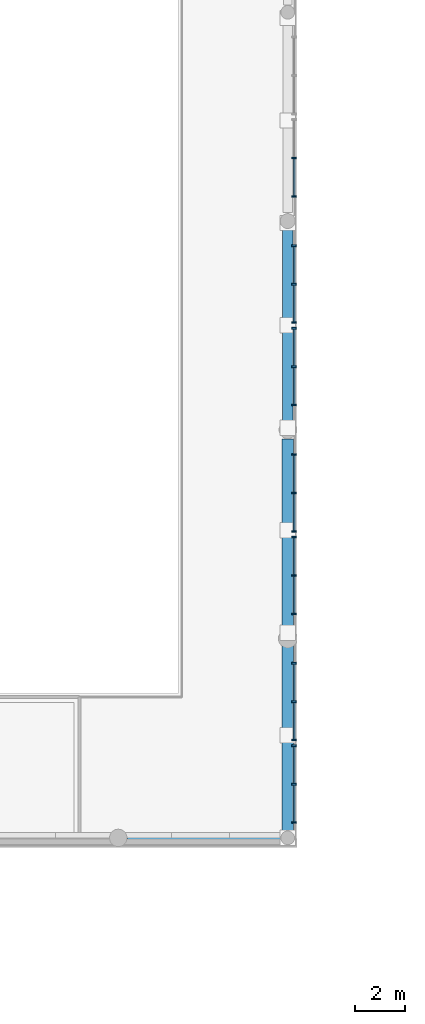
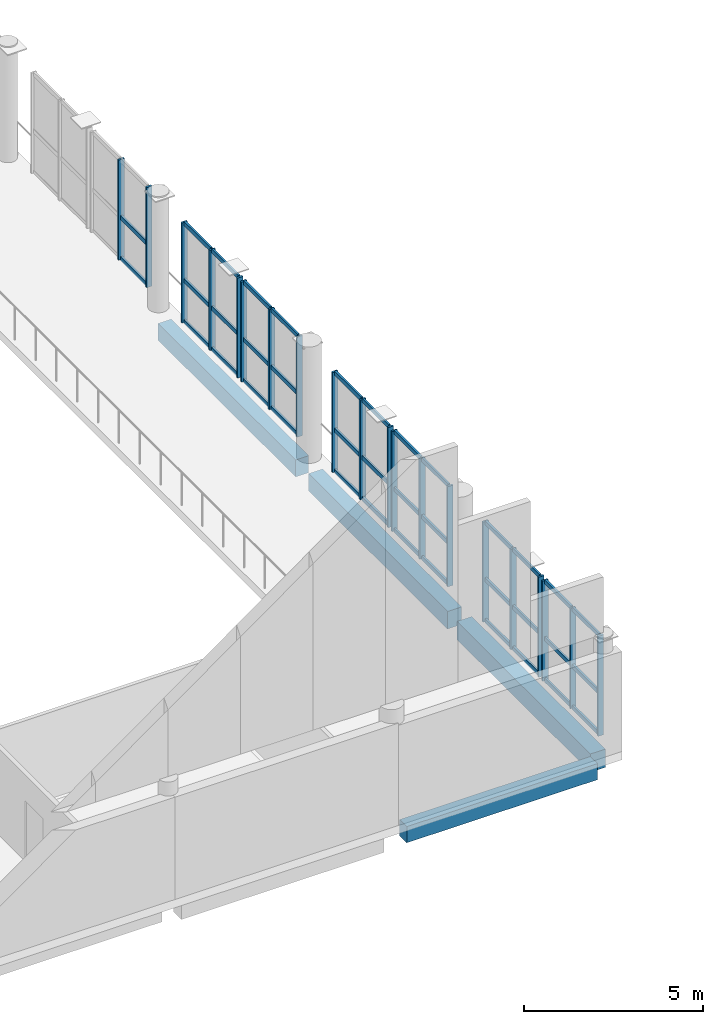
# One storey, part 20 of 76: 58 members, 4 beams, 7 elements without a shape of their own.
"""IFC4 building model written with IfcOpenShell, lengths in metres."""

from ifc_helpers import new_model, si_unit, direction, frame, origin, origin_2d, place, context, subcontext, project, spatial, rectangle, extrude, material, layer, layer_set, material_profile, profile_set, type_object, element, aggregate, save


model = new_model("IFC4")

# Units and contexts
model_context = context("Model", 3, precision=1e-05, world=origin(), true_north=direction((0.0, 1.0)))
body_context = subcontext(model_context, "Body", "Model", "MODEL_VIEW")
ifc_project = project(units=[si_unit("LENGTHUNIT", "METRE"), si_unit("AREAUNIT", "SQUARE_METRE"), si_unit("VOLUMEUNIT", "CUBIC_METRE"), si_unit("PLANEANGLEUNIT", "RADIAN"), si_unit("MASSUNIT", "GRAM", prefix="KILO")], contexts=[model_context])

# Site, building, storey
site_placement = place(None, origin())
site = spatial("IfcSite", under=ifc_project, at=site_placement, CompositionType="ELEMENT")
building_placement = place(site_placement, origin())
building = spatial("IfcBuilding", under=site, at=building_placement, Name="Vardoun Plaza Health Centre", CompositionType="ELEMENT")
storey_placement = place(building_placement, frame((0.0, 0.0, 4.5)))
storey = spatial("IfcBuildingStorey", under=building, at=storey_placement, Name="L01", CompositionType="ELEMENT", Elevation=4.5)

# Beams
ifc_material_1 = material(Name="Concrete C35/45", Category="concrete")
ifc_material_profile_1 = material_profile(ifc_material_1, rectangle(XDim=0.39990234375, YDim=0.550048828125, at=origin_2d()), Name="RC-BM 400x550")
ifc_profile_set_1 = profile_set([ifc_material_profile_1], Name="Concrete C35/45")
beam_type_1 = type_object("IfcBeamType", Name="B-09", PredefinedType="SPANDREL", material=ifc_profile_set_1)
beam_1_placement = place(storey_placement, frame((69.85498046875, 36.679931640625, -0.554931640625), z_axis=(1.0, 0.0, 0.0), x_axis=(0.0, 1.0, 0.0)))
element("IfcBeam", 1, at=beam_1_placement, inside=storey, type_object=beam_type_1, Name="V1 L01 Beam B-V1-L01-X07", PredefinedType="SPANDREL", context=body_context, shape_type="SweptSolid", body=[
    extrude(rectangle(XDim=0.39990234375, YDim=0.550048828125, at=origin_2d()), origin(), (0.0, 0.0, 1.0), 6.14501953125),
])
ifc_material_2 = material(Name="Concrete C35/45", Category="concrete")
ifc_material_profile_2 = material_profile(ifc_material_2, rectangle(XDim=0.419921875, YDim=0.580078125, at=origin_2d()), Name="RC-BM 420x580")
ifc_profile_set_2 = profile_set([ifc_material_profile_2], Name="Concrete C35/45")
beam_type_2 = type_object("IfcBeamType", Name="B-10", PredefinedType="SPANDREL", material=ifc_profile_set_2)
beam_2_placement = place(storey_placement, frame((76.300048828125, 53.47509765625, -0.570068359375), z_axis=(0.0, 1.0, 0.0), x_axis=(-1.0, 0.0, 0.0)))
element("IfcBeam", 2, at=beam_2_placement, inside=storey, type_object=beam_type_2, Name="V1 L01 Beam B-V1-L01-Y16", PredefinedType="SPANDREL", context=body_context, shape_type="SweptSolid", body=[
    extrude(rectangle(XDim=0.419921875, YDim=0.580078125, at=origin_2d()), origin(), (0.0, 0.0, 1.0), 7.675048828125),
])
ifc_material_3 = material(Name="Concrete C35/45", Category="concrete")
ifc_material_profile_3 = material_profile(ifc_material_3, rectangle(XDim=0.449951171875, YDim=0.60009765625, at=origin_2d()), Name="RC-BM 450x600")
ifc_profile_set_3 = profile_set([ifc_material_profile_3], Name="Concrete C35/45")
beam_type_3 = type_object("IfcBeamType", Name="B-11", PredefinedType="SPANDREL", material=ifc_profile_set_3)
beam_3_placement = place(storey_placement, frame((76.300048828125, 44.97509765625, -0.580078125), z_axis=(0.0, 1.0, 0.0), x_axis=(-1.0, 0.0, 0.0)))
element("IfcBeam", 3, at=beam_3_placement, inside=storey, type_object=beam_type_3, Name="V1 L01 Beam B-V1-L01-Y15", PredefinedType="SPANDREL", context=body_context, shape_type="SweptSolid", body=[
    extrude(rectangle(XDim=0.449951171875, YDim=0.60009765625, at=origin_2d()), origin(), (0.0, 0.0, 1.0), 7.75),
])
ifc_material_4 = material(Name="Concrete C35/45", Category="concrete")
ifc_material_profile_4 = material_profile(ifc_material_4, rectangle(XDim=0.47998046875, YDim=0.6201171875, at=origin_2d()), Name="RC-BM 480x620")
ifc_profile_set_4 = profile_set([ifc_material_profile_4], Name="Concrete C35/45")
beam_type_4 = type_object("IfcBeamType", Name="B-12", PredefinedType="SPANDREL", material=ifc_profile_set_4)
beam_4_placement = place(storey_placement, frame((76.300048828125, 36.97998046875, -0.590087890625), z_axis=(0.0, 1.0, 0.0), x_axis=(-1.0, 0.0, 0.0)))
element("IfcBeam", 4, at=beam_4_placement, inside=storey, type_object=beam_type_4, Name="V1 L01 Beam B-V1-L01-Y14", PredefinedType="SPANDREL", context=body_context, shape_type="SweptSolid", body=[
    extrude(rectangle(XDim=0.47998046875, YDim=0.6201171875, at=origin_2d()), origin(), (0.0, 0.0, 1.0), 7.445068359375),
])

# Curtain wall, members
ifc_material_5 = material(Name="Aluminium Alloy EN AW-6063-T6 and Low-E Glass", Category="aluminium")
ifc_layer = layer(ifc_material_5, 0.179931640625)
ifc_layer_set = layer_set([ifc_layer], Name="Aluminium Alloy EN AW-6063-T6 and Low-E Glass")
curtain_wall_type = type_object("IfcCurtainWallType", Name="CW-01", PredefinedType="USERDEFINED", material=ifc_layer_set)
curtain_wall_1_placement = place(storey_placement, origin())
curtain_wall_1 = element("IfcCurtainWall", 5, at=curtain_wall_1_placement, inside=storey, type_object=curtain_wall_type, Name="Curtain Wall CW-V1-026", ObjectType="CONCOURSE_CURTAIN_WALL", PredefinedType="USERDEFINED")
ifc_material_6 = material(Name="Aluminium Alloy EN AW-6063-T6", Category="aluminium")
ifc_material_profile_5 = material_profile(ifc_material_6, rectangle(XDim=0.179931640625, YDim=0.06494140625, at=origin_2d()), Name="CWM 65x180")
ifc_profile_set_5 = profile_set([ifc_material_profile_5], Name="Aluminium Alloy EN AW-6063-T6")
member_type_1 = type_object("IfcMemberType", Name="CW-M2", PredefinedType="MULLION", material=ifc_profile_set_5)
member_1_placement = place(storey_placement, frame((76.56005859375, 64.0400390625, 0.0), z_axis=(0.0, 0.0, 1.0), x_axis=(1.0, 0.0, 0.0)))
member_1 = element("IfcMember", 6, at=member_1_placement, type_object=member_type_1, Name="CW-V1-026 mullion 2", PredefinedType="MULLION", context=body_context, shape_type="SweptSolid", body=[
    extrude(rectangle(XDim=0.179931640625, YDim=0.06494140625, at=origin_2d()), origin(), (0.0, 0.0, 1.0), 3.409912109375),
])
member_2_placement = place(storey_placement, frame((76.56005859375, 62.492431640625, 0.0), z_axis=(0.0, 0.0, 1.0), x_axis=(1.0, 0.0, 0.0)))
member_2 = element("IfcMember", 7, at=member_2_placement, type_object=member_type_1, Name="CW-V1-026 mullion 3", PredefinedType="MULLION", context=body_context, shape_type="SweptSolid", body=[
    extrude(rectangle(XDim=0.179931640625, YDim=0.06494140625, at=origin_2d()), origin(), (0.0, 0.0, 1.0), 3.409912109375),
])

curtain_wall_2_placement = place(storey_placement, origin())
curtain_wall_2 = element("IfcCurtainWall", 8, at=curtain_wall_2_placement, inside=storey, type_object=curtain_wall_type, Name="Curtain Wall CW-V1-027", ObjectType="CONCOURSE_CURTAIN_WALL", PredefinedType="USERDEFINED")
member_3_placement = place(storey_placement, frame((76.56005859375, 60.507568359375, 0.0), z_axis=(0.0, 0.0, 1.0), x_axis=(1.0, 0.0, 0.0)))
member_3 = element("IfcMember", 9, at=member_3_placement, type_object=member_type_1, Name="CW-V1-027 mullion 1", PredefinedType="MULLION", context=body_context, shape_type="SweptSolid", body=[
    extrude(rectangle(XDim=0.179931640625, YDim=0.06494140625, at=origin_2d()), origin(), (0.0, 0.0, 1.0), 3.409912109375),
])
member_4_placement = place(storey_placement, frame((76.56005859375, 58.9599609375, 0.0), z_axis=(0.0, 0.0, 1.0), x_axis=(1.0, 0.0, 0.0)))
member_4 = element("IfcMember", 10, at=member_4_placement, type_object=member_type_1, Name="CW-V1-027 mullion 2", PredefinedType="MULLION", context=body_context, shape_type="SweptSolid", body=[
    extrude(rectangle(XDim=0.179931640625, YDim=0.06494140625, at=origin_2d()), origin(), (0.0, 0.0, 1.0), 3.409912109375),
])
member_5_placement = place(storey_placement, frame((76.56005859375, 57.41259765625, 0.0), z_axis=(0.0, 0.0, 1.0), x_axis=(1.0, 0.0, 0.0)))
member_5 = element("IfcMember", 11, at=member_5_placement, type_object=member_type_1, Name="CW-V1-027 mullion 3", PredefinedType="MULLION", context=body_context, shape_type="SweptSolid", body=[
    extrude(rectangle(XDim=0.179931640625, YDim=0.06494140625, at=origin_2d()), origin(), (0.0, 0.0, 1.0), 3.409912109375),
])

curtain_wall_3_placement = place(storey_placement, origin())
curtain_wall_3 = element("IfcCurtainWall", 12, at=curtain_wall_3_placement, inside=storey, type_object=curtain_wall_type, Name="Curtain Wall CW-V1-028", ObjectType="CONCOURSE_CURTAIN_WALL", PredefinedType="USERDEFINED")
member_6_placement = place(storey_placement, frame((76.56005859375, 57.1875, 0.0), z_axis=(0.0, 0.0, 1.0), x_axis=(1.0, 0.0, 0.0)))
member_6 = element("IfcMember", 13, at=member_6_placement, type_object=member_type_1, Name="CW-V1-028 mullion 1", PredefinedType="MULLION", context=body_context, shape_type="SweptSolid", body=[
    extrude(rectangle(XDim=0.179931640625, YDim=0.06494140625, at=origin_2d()), origin(), (0.0, 0.0, 1.0), 3.409912109375),
])
member_7_placement = place(storey_placement, frame((76.56005859375, 55.639892578125, 0.0), z_axis=(0.0, 0.0, 1.0), x_axis=(1.0, 0.0, 0.0)))
member_7 = element("IfcMember", 14, at=member_7_placement, type_object=member_type_1, Name="CW-V1-028 mullion 2", PredefinedType="MULLION", context=body_context, shape_type="SweptSolid", body=[
    extrude(rectangle(XDim=0.179931640625, YDim=0.06494140625, at=origin_2d()), origin(), (0.0, 0.0, 1.0), 3.409912109375),
])
member_8_placement = place(storey_placement, frame((76.56005859375, 54.092529296875, 0.0), z_axis=(0.0, 0.0, 1.0), x_axis=(1.0, 0.0, 0.0)))
member_8 = element("IfcMember", 15, at=member_8_placement, type_object=member_type_1, Name="CW-V1-028 mullion 3", PredefinedType="MULLION", context=body_context, shape_type="SweptSolid", body=[
    extrude(rectangle(XDim=0.179931640625, YDim=0.06494140625, at=origin_2d()), origin(), (0.0, 0.0, 1.0), 3.409912109375),
])

curtain_wall_4_placement = place(storey_placement, origin())
curtain_wall_4 = element("IfcCurtainWall", 16, at=curtain_wall_4_placement, inside=storey, type_object=curtain_wall_type, Name="Curtain Wall CW-V1-029", ObjectType="CONCOURSE_CURTAIN_WALL", PredefinedType="USERDEFINED")
member_9_placement = place(storey_placement, frame((76.56005859375, 52.107421875, 0.0), z_axis=(0.0, 0.0, 1.0), x_axis=(1.0, 0.0, 0.0)))
member_9 = element("IfcMember", 17, at=member_9_placement, type_object=member_type_1, Name="CW-V1-029 mullion 1", PredefinedType="MULLION", context=body_context, shape_type="SweptSolid", body=[
    extrude(rectangle(XDim=0.179931640625, YDim=0.06494140625, at=origin_2d()), origin(), (0.0, 0.0, 1.0), 3.409912109375),
])
member_10_placement = place(storey_placement, frame((76.56005859375, 50.56005859375, 0.0), z_axis=(0.0, 0.0, 1.0), x_axis=(1.0, 0.0, 0.0)))
member_10 = element("IfcMember", 18, at=member_10_placement, type_object=member_type_1, Name="CW-V1-029 mullion 2", PredefinedType="MULLION", context=body_context, shape_type="SweptSolid", body=[
    extrude(rectangle(XDim=0.179931640625, YDim=0.06494140625, at=origin_2d()), origin(), (0.0, 0.0, 1.0), 3.409912109375),
])
member_11_placement = place(storey_placement, frame((76.56005859375, 49.012451171875, 0.0), z_axis=(0.0, 0.0, 1.0), x_axis=(1.0, 0.0, 0.0)))
member_11 = element("IfcMember", 19, at=member_11_placement, type_object=member_type_1, Name="CW-V1-029 mullion 3", PredefinedType="MULLION", context=body_context, shape_type="SweptSolid", body=[
    extrude(rectangle(XDim=0.179931640625, YDim=0.06494140625, at=origin_2d()), origin(), (0.0, 0.0, 1.0), 3.409912109375),
])

curtain_wall_5_placement = place(storey_placement, origin())
curtain_wall_5 = element("IfcCurtainWall", 20, at=curtain_wall_5_placement, inside=storey, type_object=curtain_wall_type, Name="Curtain Wall CW-V1-030", ObjectType="CONCOURSE_CURTAIN_WALL", PredefinedType="USERDEFINED")
member_12_placement = place(storey_placement, frame((76.56005859375, 48.78759765625, 0.0), z_axis=(0.0, 0.0, 1.0), x_axis=(1.0, 0.0, 0.0)))
member_12 = element("IfcMember", 21, at=member_12_placement, type_object=member_type_1, Name="CW-V1-030 mullion 1", PredefinedType="MULLION", context=body_context, shape_type="SweptSolid", body=[
    extrude(rectangle(XDim=0.179931640625, YDim=0.06494140625, at=origin_2d()), origin(), (0.0, 0.0, 1.0), 3.409912109375),
])
member_13_placement = place(storey_placement, frame((76.56005859375, 47.239990234375, 0.0), z_axis=(0.0, 0.0, 1.0), x_axis=(1.0, 0.0, 0.0)))
member_13 = element("IfcMember", 22, at=member_13_placement, type_object=member_type_1, Name="CW-V1-030 mullion 2", PredefinedType="MULLION", context=body_context, shape_type="SweptSolid", body=[
    extrude(rectangle(XDim=0.179931640625, YDim=0.06494140625, at=origin_2d()), origin(), (0.0, 0.0, 1.0), 3.409912109375),
])
member_14_placement = place(storey_placement, frame((76.56005859375, 45.6923828125, 0.0), z_axis=(0.0, 0.0, 1.0), x_axis=(1.0, 0.0, 0.0)))
member_14 = element("IfcMember", 23, at=member_14_placement, type_object=member_type_1, Name="CW-V1-030 mullion 3", PredefinedType="MULLION", context=body_context, shape_type="SweptSolid", body=[
    extrude(rectangle(XDim=0.179931640625, YDim=0.06494140625, at=origin_2d()), origin(), (0.0, 0.0, 1.0), 3.409912109375),
])

curtain_wall_6_placement = place(storey_placement, origin())
curtain_wall_6 = element("IfcCurtainWall", 24, at=curtain_wall_6_placement, inside=storey, type_object=curtain_wall_type, Name="Curtain Wall CW-V1-031", ObjectType="CONCOURSE_CURTAIN_WALL", PredefinedType="USERDEFINED")
member_15_placement = place(storey_placement, frame((76.56005859375, 43.70751953125, 0.0), z_axis=(0.0, 0.0, 1.0), x_axis=(1.0, 0.0, 0.0)))
member_15 = element("IfcMember", 25, at=member_15_placement, type_object=member_type_1, Name="CW-V1-031 mullion 1", PredefinedType="MULLION", context=body_context, shape_type="SweptSolid", body=[
    extrude(rectangle(XDim=0.179931640625, YDim=0.06494140625, at=origin_2d()), origin(), (0.0, 0.0, 1.0), 3.409912109375),
])
member_16_placement = place(storey_placement, frame((76.56005859375, 42.159912109375, 0.0), z_axis=(0.0, 0.0, 1.0), x_axis=(1.0, 0.0, 0.0)))
member_16 = element("IfcMember", 26, at=member_16_placement, type_object=member_type_1, Name="CW-V1-031 mullion 2", PredefinedType="MULLION", context=body_context, shape_type="SweptSolid", body=[
    extrude(rectangle(XDim=0.179931640625, YDim=0.06494140625, at=origin_2d()), origin(), (0.0, 0.0, 1.0), 3.409912109375),
])
member_17_placement = place(storey_placement, frame((76.56005859375, 40.612548828125, 0.0), z_axis=(0.0, 0.0, 1.0), x_axis=(1.0, 0.0, 0.0)))
member_17 = element("IfcMember", 27, at=member_17_placement, type_object=member_type_1, Name="CW-V1-031 mullion 3", PredefinedType="MULLION", context=body_context, shape_type="SweptSolid", body=[
    extrude(rectangle(XDim=0.179931640625, YDim=0.06494140625, at=origin_2d()), origin(), (0.0, 0.0, 1.0), 3.409912109375),
])

curtain_wall_7_placement = place(storey_placement, origin())
curtain_wall_7 = element("IfcCurtainWall", 28, at=curtain_wall_7_placement, inside=storey, type_object=curtain_wall_type, Name="Curtain Wall CW-V1-032", ObjectType="CONCOURSE_CURTAIN_WALL", PredefinedType="USERDEFINED")
member_18_placement = place(storey_placement, frame((76.56005859375, 40.387451171875, 0.0), z_axis=(0.0, 0.0, 1.0), x_axis=(1.0, 0.0, 0.0)))
member_18 = element("IfcMember", 29, at=member_18_placement, type_object=member_type_1, Name="CW-V1-032 mullion 1", PredefinedType="MULLION", context=body_context, shape_type="SweptSolid", body=[
    extrude(rectangle(XDim=0.179931640625, YDim=0.06494140625, at=origin_2d()), origin(), (0.0, 0.0, 1.0), 3.409912109375),
])
member_19_placement = place(storey_placement, frame((76.56005859375, 38.840087890625, 0.0), z_axis=(0.0, 0.0, 1.0), x_axis=(1.0, 0.0, 0.0)))
member_19 = element("IfcMember", 30, at=member_19_placement, type_object=member_type_1, Name="CW-V1-032 mullion 2", PredefinedType="MULLION", context=body_context, shape_type="SweptSolid", body=[
    extrude(rectangle(XDim=0.179931640625, YDim=0.06494140625, at=origin_2d()), origin(), (0.0, 0.0, 1.0), 3.409912109375),
])
member_20_placement = place(storey_placement, frame((76.56005859375, 37.29248046875, 0.0), z_axis=(0.0, 0.0, 1.0), x_axis=(1.0, 0.0, 0.0)))
member_20 = element("IfcMember", 31, at=member_20_placement, type_object=member_type_1, Name="CW-V1-032 mullion 3", PredefinedType="MULLION", context=body_context, shape_type="SweptSolid", body=[
    extrude(rectangle(XDim=0.179931640625, YDim=0.06494140625, at=origin_2d()), origin(), (0.0, 0.0, 1.0), 3.409912109375),
])

# Member
ifc_material_7 = material(Name="Aluminium Alloy EN AW-6063-T6", Category="aluminium")
ifc_material_profile_6 = material_profile(ifc_material_7, rectangle(XDim=0.06494140625, YDim=0.139892578125, at=origin_2d()), Name="CWT 65x140")
ifc_profile_set_6 = profile_set([ifc_material_profile_6], Name="Aluminium Alloy EN AW-6063-T6")
member_type_2 = type_object("IfcMemberType", Name="CW-T2", PredefinedType="USERDEFINED", material=ifc_profile_set_6)
member_21_placement = place(storey_placement, frame((76.56005859375, 64.007568359375, 0.032470703125), z_axis=(0.0, -1.0, 0.0), x_axis=(1.0, 0.0, 0.0)))
member_21 = element("IfcMember", 32, at=member_21_placement, type_object=member_type_2, Name="CW-V1-026 transom 2.1", ObjectType="TRANSOM", PredefinedType="USERDEFINED", context=body_context, shape_type="SweptSolid", body=[
    extrude(rectangle(XDim=0.06494140625, YDim=0.139892578125, at=origin_2d()), origin(), (0.0, 0.0, 1.0), 1.482421875),
])

member_22_placement = place(storey_placement, frame((76.56005859375, 64.007568359375, 1.43212890625), z_axis=(0.0, -1.0, 0.0), x_axis=(1.0, 0.0, 0.0)))
member_22 = element("IfcMember", 33, at=member_22_placement, type_object=member_type_2, Name="CW-V1-026 transom 2.2", ObjectType="TRANSOM", PredefinedType="USERDEFINED", context=body_context, shape_type="SweptSolid", body=[
    extrude(rectangle(XDim=0.06494140625, YDim=0.139892578125, at=origin_2d()), origin(), (0.0, 0.0, 1.0), 1.482421875),
])

aggregate(curtain_wall_1, [member_1, member_2, member_21, member_22])

member_23_placement = place(storey_placement, frame((76.56005859375, 60.47509765625, 0.032470703125), z_axis=(0.0, -1.0, 0.0), x_axis=(1.0, 0.0, 0.0)))
member_23 = element("IfcMember", 34, at=member_23_placement, type_object=member_type_2, Name="CW-V1-027 transom 1.1", ObjectType="TRANSOM", PredefinedType="USERDEFINED", context=body_context, shape_type="SweptSolid", body=[
    extrude(rectangle(XDim=0.06494140625, YDim=0.139892578125, at=origin_2d()), origin(), (0.0, 0.0, 1.0), 1.482666015625),
])

member_24_placement = place(storey_placement, frame((76.56005859375, 60.47509765625, 1.43212890625), z_axis=(0.0, -1.0, 0.0), x_axis=(1.0, 0.0, 0.0)))
member_24 = element("IfcMember", 35, at=member_24_placement, type_object=member_type_2, Name="CW-V1-027 transom 1.2", ObjectType="TRANSOM", PredefinedType="USERDEFINED", context=body_context, shape_type="SweptSolid", body=[
    extrude(rectangle(XDim=0.06494140625, YDim=0.139892578125, at=origin_2d()), origin(), (0.0, 0.0, 1.0), 1.482666015625),
])

member_25_placement = place(storey_placement, frame((76.56005859375, 60.47509765625, 3.37744140625), z_axis=(0.0, -1.0, 0.0), x_axis=(1.0, 0.0, 0.0)))
member_25 = element("IfcMember", 36, at=member_25_placement, type_object=member_type_2, Name="CW-V1-027 transom 1.3", ObjectType="TRANSOM", PredefinedType="USERDEFINED", context=body_context, shape_type="SweptSolid", body=[
    extrude(rectangle(XDim=0.06494140625, YDim=0.139892578125, at=origin_2d()), origin(), (0.0, 0.0, 1.0), 1.482666015625),
])

member_26_placement = place(storey_placement, frame((76.56005859375, 58.927490234375, 0.032470703125), z_axis=(0.0, -1.0, 0.0), x_axis=(1.0, 0.0, 0.0)))
member_26 = element("IfcMember", 37, at=member_26_placement, type_object=member_type_2, Name="CW-V1-027 transom 2.1", ObjectType="TRANSOM", PredefinedType="USERDEFINED", context=body_context, shape_type="SweptSolid", body=[
    extrude(rectangle(XDim=0.06494140625, YDim=0.139892578125, at=origin_2d()), origin(), (0.0, 0.0, 1.0), 1.482421875),
])

member_27_placement = place(storey_placement, frame((76.56005859375, 58.927490234375, 1.43212890625), z_axis=(0.0, -1.0, 0.0), x_axis=(1.0, 0.0, 0.0)))
member_27 = element("IfcMember", 38, at=member_27_placement, type_object=member_type_2, Name="CW-V1-027 transom 2.2", ObjectType="TRANSOM", PredefinedType="USERDEFINED", context=body_context, shape_type="SweptSolid", body=[
    extrude(rectangle(XDim=0.06494140625, YDim=0.139892578125, at=origin_2d()), origin(), (0.0, 0.0, 1.0), 1.482421875),
])

member_28_placement = place(storey_placement, frame((76.56005859375, 58.927490234375, 3.37744140625), z_axis=(0.0, -1.0, 0.0), x_axis=(1.0, 0.0, 0.0)))
member_28 = element("IfcMember", 39, at=member_28_placement, type_object=member_type_2, Name="CW-V1-027 transom 2.3", ObjectType="TRANSOM", PredefinedType="USERDEFINED", context=body_context, shape_type="SweptSolid", body=[
    extrude(rectangle(XDim=0.06494140625, YDim=0.139892578125, at=origin_2d()), origin(), (0.0, 0.0, 1.0), 1.482421875),
])

aggregate(curtain_wall_2, [member_3, member_4, member_5, member_23, member_24, member_25, member_26, member_27, member_28])

member_29_placement = place(storey_placement, frame((76.56005859375, 57.155029296875, 0.032470703125), z_axis=(0.0, -1.0, 0.0), x_axis=(1.0, 0.0, 0.0)))
member_29 = element("IfcMember", 40, at=member_29_placement, type_object=member_type_2, Name="CW-V1-028 transom 1.1", ObjectType="TRANSOM", PredefinedType="USERDEFINED", context=body_context, shape_type="SweptSolid", body=[
    extrude(rectangle(XDim=0.06494140625, YDim=0.139892578125, at=origin_2d()), origin(), (0.0, 0.0, 1.0), 1.482421875),
])

member_30_placement = place(storey_placement, frame((76.56005859375, 57.155029296875, 1.43212890625), z_axis=(0.0, -1.0, 0.0), x_axis=(1.0, 0.0, 0.0)))
member_30 = element("IfcMember", 41, at=member_30_placement, type_object=member_type_2, Name="CW-V1-028 transom 1.2", ObjectType="TRANSOM", PredefinedType="USERDEFINED", context=body_context, shape_type="SweptSolid", body=[
    extrude(rectangle(XDim=0.06494140625, YDim=0.139892578125, at=origin_2d()), origin(), (0.0, 0.0, 1.0), 1.482421875),
])

member_31_placement = place(storey_placement, frame((76.56005859375, 57.155029296875, 3.37744140625), z_axis=(0.0, -1.0, 0.0), x_axis=(1.0, 0.0, 0.0)))
member_31 = element("IfcMember", 42, at=member_31_placement, type_object=member_type_2, Name="CW-V1-028 transom 1.3", ObjectType="TRANSOM", PredefinedType="USERDEFINED", context=body_context, shape_type="SweptSolid", body=[
    extrude(rectangle(XDim=0.06494140625, YDim=0.139892578125, at=origin_2d()), origin(), (0.0, 0.0, 1.0), 1.482421875),
])

member_32_placement = place(storey_placement, frame((76.56005859375, 55.607421875, 0.032470703125), z_axis=(0.0, -1.0, 0.0), x_axis=(1.0, 0.0, 0.0)))
member_32 = element("IfcMember", 43, at=member_32_placement, type_object=member_type_2, Name="CW-V1-028 transom 2.1", ObjectType="TRANSOM", PredefinedType="USERDEFINED", context=body_context, shape_type="SweptSolid", body=[
    extrude(rectangle(XDim=0.06494140625, YDim=0.139892578125, at=origin_2d()), origin(), (0.0, 0.0, 1.0), 1.482421875),
])

member_33_placement = place(storey_placement, frame((76.56005859375, 55.607421875, 1.43212890625), z_axis=(0.0, -1.0, 0.0), x_axis=(1.0, 0.0, 0.0)))
member_33 = element("IfcMember", 44, at=member_33_placement, type_object=member_type_2, Name="CW-V1-028 transom 2.2", ObjectType="TRANSOM", PredefinedType="USERDEFINED", context=body_context, shape_type="SweptSolid", body=[
    extrude(rectangle(XDim=0.06494140625, YDim=0.139892578125, at=origin_2d()), origin(), (0.0, 0.0, 1.0), 1.482421875),
])

member_34_placement = place(storey_placement, frame((76.56005859375, 55.607421875, 3.37744140625), z_axis=(0.0, -1.0, 0.0), x_axis=(1.0, 0.0, 0.0)))
member_34 = element("IfcMember", 45, at=member_34_placement, type_object=member_type_2, Name="CW-V1-028 transom 2.3", ObjectType="TRANSOM", PredefinedType="USERDEFINED", context=body_context, shape_type="SweptSolid", body=[
    extrude(rectangle(XDim=0.06494140625, YDim=0.139892578125, at=origin_2d()), origin(), (0.0, 0.0, 1.0), 1.482421875),
])

aggregate(curtain_wall_3, [member_6, member_7, member_8, member_29, member_30, member_31, member_32, member_33, member_34])

member_35_placement = place(storey_placement, frame((76.56005859375, 52.074951171875, 0.032470703125), z_axis=(0.0, -1.0, 0.0), x_axis=(1.0, 0.0, 0.0)))
member_35 = element("IfcMember", 46, at=member_35_placement, type_object=member_type_2, Name="CW-V1-029 transom 1.1", ObjectType="TRANSOM", PredefinedType="USERDEFINED", context=body_context, shape_type="SweptSolid", body=[
    extrude(rectangle(XDim=0.06494140625, YDim=0.139892578125, at=origin_2d()), origin(), (0.0, 0.0, 1.0), 1.482421875),
])

member_36_placement = place(storey_placement, frame((76.56005859375, 52.074951171875, 1.43212890625), z_axis=(0.0, -1.0, 0.0), x_axis=(1.0, 0.0, 0.0)))
member_36 = element("IfcMember", 47, at=member_36_placement, type_object=member_type_2, Name="CW-V1-029 transom 1.2", ObjectType="TRANSOM", PredefinedType="USERDEFINED", context=body_context, shape_type="SweptSolid", body=[
    extrude(rectangle(XDim=0.06494140625, YDim=0.139892578125, at=origin_2d()), origin(), (0.0, 0.0, 1.0), 1.482421875),
])

member_37_placement = place(storey_placement, frame((76.56005859375, 52.074951171875, 3.37744140625), z_axis=(0.0, -1.0, 0.0), x_axis=(1.0, 0.0, 0.0)))
member_37 = element("IfcMember", 48, at=member_37_placement, type_object=member_type_2, Name="CW-V1-029 transom 1.3", ObjectType="TRANSOM", PredefinedType="USERDEFINED", context=body_context, shape_type="SweptSolid", body=[
    extrude(rectangle(XDim=0.06494140625, YDim=0.139892578125, at=origin_2d()), origin(), (0.0, 0.0, 1.0), 1.482421875),
])

member_38_placement = place(storey_placement, frame((76.56005859375, 50.527587890625, 0.032470703125), z_axis=(0.0, -1.0, 0.0), x_axis=(1.0, 0.0, 0.0)))
member_38 = element("IfcMember", 49, at=member_38_placement, type_object=member_type_2, Name="CW-V1-029 transom 2.1", ObjectType="TRANSOM", PredefinedType="USERDEFINED", context=body_context, shape_type="SweptSolid", body=[
    extrude(rectangle(XDim=0.06494140625, YDim=0.139892578125, at=origin_2d()), origin(), (0.0, 0.0, 1.0), 1.482666015625),
])

member_39_placement = place(storey_placement, frame((76.56005859375, 50.527587890625, 1.43212890625), z_axis=(0.0, -1.0, 0.0), x_axis=(1.0, 0.0, 0.0)))
member_39 = element("IfcMember", 50, at=member_39_placement, type_object=member_type_2, Name="CW-V1-029 transom 2.2", ObjectType="TRANSOM", PredefinedType="USERDEFINED", context=body_context, shape_type="SweptSolid", body=[
    extrude(rectangle(XDim=0.06494140625, YDim=0.139892578125, at=origin_2d()), origin(), (0.0, 0.0, 1.0), 1.482666015625),
])

member_40_placement = place(storey_placement, frame((76.56005859375, 50.527587890625, 3.37744140625), z_axis=(0.0, -1.0, 0.0), x_axis=(1.0, 0.0, 0.0)))
member_40 = element("IfcMember", 51, at=member_40_placement, type_object=member_type_2, Name="CW-V1-029 transom 2.3", ObjectType="TRANSOM", PredefinedType="USERDEFINED", context=body_context, shape_type="SweptSolid", body=[
    extrude(rectangle(XDim=0.06494140625, YDim=0.139892578125, at=origin_2d()), origin(), (0.0, 0.0, 1.0), 1.482666015625),
])

aggregate(curtain_wall_4, [member_9, member_10, member_11, member_35, member_36, member_37, member_38, member_39, member_40])

member_41_placement = place(storey_placement, frame((76.56005859375, 48.7548828125, 0.032470703125), z_axis=(0.0, -1.0, 0.0), x_axis=(1.0, 0.0, 0.0)))
member_41 = element("IfcMember", 52, at=member_41_placement, type_object=member_type_2, Name="CW-V1-030 transom 1.1", ObjectType="TRANSOM", PredefinedType="USERDEFINED", context=body_context, shape_type="SweptSolid", body=[
    extrude(rectangle(XDim=0.06494140625, YDim=0.139892578125, at=origin_2d()), origin(), (0.0, 0.0, 1.0), 1.482421875),
])

member_42_placement = place(storey_placement, frame((76.56005859375, 48.7548828125, 1.43212890625), z_axis=(0.0, -1.0, 0.0), x_axis=(1.0, 0.0, 0.0)))
member_42 = element("IfcMember", 53, at=member_42_placement, type_object=member_type_2, Name="CW-V1-030 transom 1.2", ObjectType="TRANSOM", PredefinedType="USERDEFINED", context=body_context, shape_type="SweptSolid", body=[
    extrude(rectangle(XDim=0.06494140625, YDim=0.139892578125, at=origin_2d()), origin(), (0.0, 0.0, 1.0), 1.482421875),
])

member_43_placement = place(storey_placement, frame((76.56005859375, 48.7548828125, 3.37744140625), z_axis=(0.0, -1.0, 0.0), x_axis=(1.0, 0.0, 0.0)))
member_43 = element("IfcMember", 54, at=member_43_placement, type_object=member_type_2, Name="CW-V1-030 transom 1.3", ObjectType="TRANSOM", PredefinedType="USERDEFINED", context=body_context, shape_type="SweptSolid", body=[
    extrude(rectangle(XDim=0.06494140625, YDim=0.139892578125, at=origin_2d()), origin(), (0.0, 0.0, 1.0), 1.482421875),
])

member_44_placement = place(storey_placement, frame((76.56005859375, 47.20751953125, 0.032470703125), z_axis=(0.0, -1.0, 0.0), x_axis=(1.0, 0.0, 0.0)))
member_44 = element("IfcMember", 55, at=member_44_placement, type_object=member_type_2, Name="CW-V1-030 transom 2.1", ObjectType="TRANSOM", PredefinedType="USERDEFINED", context=body_context, shape_type="SweptSolid", body=[
    extrude(rectangle(XDim=0.06494140625, YDim=0.139892578125, at=origin_2d()), origin(), (0.0, 0.0, 1.0), 1.482421875),
])

member_45_placement = place(storey_placement, frame((76.56005859375, 47.20751953125, 1.43212890625), z_axis=(0.0, -1.0, 0.0), x_axis=(1.0, 0.0, 0.0)))
member_45 = element("IfcMember", 56, at=member_45_placement, type_object=member_type_2, Name="CW-V1-030 transom 2.2", ObjectType="TRANSOM", PredefinedType="USERDEFINED", context=body_context, shape_type="SweptSolid", body=[
    extrude(rectangle(XDim=0.06494140625, YDim=0.139892578125, at=origin_2d()), origin(), (0.0, 0.0, 1.0), 1.482421875),
])

member_46_placement = place(storey_placement, frame((76.56005859375, 47.20751953125, 3.37744140625), z_axis=(0.0, -1.0, 0.0), x_axis=(1.0, 0.0, 0.0)))
member_46 = element("IfcMember", 57, at=member_46_placement, type_object=member_type_2, Name="CW-V1-030 transom 2.3", ObjectType="TRANSOM", PredefinedType="USERDEFINED", context=body_context, shape_type="SweptSolid", body=[
    extrude(rectangle(XDim=0.06494140625, YDim=0.139892578125, at=origin_2d()), origin(), (0.0, 0.0, 1.0), 1.482421875),
])

aggregate(curtain_wall_5, [member_12, member_13, member_14, member_41, member_42, member_43, member_44, member_45, member_46])

member_47_placement = place(storey_placement, frame((76.56005859375, 43.675048828125, 0.032470703125), z_axis=(0.0, -1.0, 0.0), x_axis=(1.0, 0.0, 0.0)))
member_47 = element("IfcMember", 58, at=member_47_placement, type_object=member_type_2, Name="CW-V1-031 transom 1.1", ObjectType="TRANSOM", PredefinedType="USERDEFINED", context=body_context, shape_type="SweptSolid", body=[
    extrude(rectangle(XDim=0.06494140625, YDim=0.139892578125, at=origin_2d()), origin(), (0.0, 0.0, 1.0), 1.482666015625),
])

member_48_placement = place(storey_placement, frame((76.56005859375, 43.675048828125, 1.43212890625), z_axis=(0.0, -1.0, 0.0), x_axis=(1.0, 0.0, 0.0)))
member_48 = element("IfcMember", 59, at=member_48_placement, type_object=member_type_2, Name="CW-V1-031 transom 1.2", ObjectType="TRANSOM", PredefinedType="USERDEFINED", context=body_context, shape_type="SweptSolid", body=[
    extrude(rectangle(XDim=0.06494140625, YDim=0.139892578125, at=origin_2d()), origin(), (0.0, 0.0, 1.0), 1.482666015625),
])

member_49_placement = place(storey_placement, frame((76.56005859375, 43.675048828125, 3.37744140625), z_axis=(0.0, -1.0, 0.0), x_axis=(1.0, 0.0, 0.0)))
member_49 = element("IfcMember", 60, at=member_49_placement, type_object=member_type_2, Name="CW-V1-031 transom 1.3", ObjectType="TRANSOM", PredefinedType="USERDEFINED", context=body_context, shape_type="SweptSolid", body=[
    extrude(rectangle(XDim=0.06494140625, YDim=0.139892578125, at=origin_2d()), origin(), (0.0, 0.0, 1.0), 1.482666015625),
])

member_50_placement = place(storey_placement, frame((76.56005859375, 42.12744140625, 0.032470703125), z_axis=(0.0, -1.0, 0.0), x_axis=(1.0, 0.0, 0.0)))
member_50 = element("IfcMember", 61, at=member_50_placement, type_object=member_type_2, Name="CW-V1-031 transom 2.1", ObjectType="TRANSOM", PredefinedType="USERDEFINED", context=body_context, shape_type="SweptSolid", body=[
    extrude(rectangle(XDim=0.06494140625, YDim=0.139892578125, at=origin_2d()), origin(), (0.0, 0.0, 1.0), 1.482421875),
])

member_51_placement = place(storey_placement, frame((76.56005859375, 42.12744140625, 1.43212890625), z_axis=(0.0, -1.0, 0.0), x_axis=(1.0, 0.0, 0.0)))
member_51 = element("IfcMember", 62, at=member_51_placement, type_object=member_type_2, Name="CW-V1-031 transom 2.2", ObjectType="TRANSOM", PredefinedType="USERDEFINED", context=body_context, shape_type="SweptSolid", body=[
    extrude(rectangle(XDim=0.06494140625, YDim=0.139892578125, at=origin_2d()), origin(), (0.0, 0.0, 1.0), 1.482421875),
])

member_52_placement = place(storey_placement, frame((76.56005859375, 42.12744140625, 3.37744140625), z_axis=(0.0, -1.0, 0.0), x_axis=(1.0, 0.0, 0.0)))
member_52 = element("IfcMember", 63, at=member_52_placement, type_object=member_type_2, Name="CW-V1-031 transom 2.3", ObjectType="TRANSOM", PredefinedType="USERDEFINED", context=body_context, shape_type="SweptSolid", body=[
    extrude(rectangle(XDim=0.06494140625, YDim=0.139892578125, at=origin_2d()), origin(), (0.0, 0.0, 1.0), 1.482421875),
])

aggregate(curtain_wall_6, [member_15, member_16, member_17, member_47, member_48, member_49, member_50, member_51, member_52])

member_53_placement = place(storey_placement, frame((76.56005859375, 40.35498046875, 0.032470703125), z_axis=(0.0, -1.0, 0.0), x_axis=(1.0, 0.0, 0.0)))
member_53 = element("IfcMember", 64, at=member_53_placement, type_object=member_type_2, Name="CW-V1-032 transom 1.1", ObjectType="TRANSOM", PredefinedType="USERDEFINED", context=body_context, shape_type="SweptSolid", body=[
    extrude(rectangle(XDim=0.06494140625, YDim=0.139892578125, at=origin_2d()), origin(), (0.0, 0.0, 1.0), 1.482421875),
])

member_54_placement = place(storey_placement, frame((76.56005859375, 40.35498046875, 1.43212890625), z_axis=(0.0, -1.0, 0.0), x_axis=(1.0, 0.0, 0.0)))
member_54 = element("IfcMember", 65, at=member_54_placement, type_object=member_type_2, Name="CW-V1-032 transom 1.2", ObjectType="TRANSOM", PredefinedType="USERDEFINED", context=body_context, shape_type="SweptSolid", body=[
    extrude(rectangle(XDim=0.06494140625, YDim=0.139892578125, at=origin_2d()), origin(), (0.0, 0.0, 1.0), 1.482421875),
])

member_55_placement = place(storey_placement, frame((76.56005859375, 40.35498046875, 3.37744140625), z_axis=(0.0, -1.0, 0.0), x_axis=(1.0, 0.0, 0.0)))
member_55 = element("IfcMember", 66, at=member_55_placement, type_object=member_type_2, Name="CW-V1-032 transom 1.3", ObjectType="TRANSOM", PredefinedType="USERDEFINED", context=body_context, shape_type="SweptSolid", body=[
    extrude(rectangle(XDim=0.06494140625, YDim=0.139892578125, at=origin_2d()), origin(), (0.0, 0.0, 1.0), 1.482421875),
])

member_56_placement = place(storey_placement, frame((76.56005859375, 38.8076171875, 0.032470703125), z_axis=(0.0, -1.0, 0.0), x_axis=(1.0, 0.0, 0.0)))
member_56 = element("IfcMember", 67, at=member_56_placement, type_object=member_type_2, Name="CW-V1-032 transom 2.1", ObjectType="TRANSOM", PredefinedType="USERDEFINED", context=body_context, shape_type="SweptSolid", body=[
    extrude(rectangle(XDim=0.06494140625, YDim=0.139892578125, at=origin_2d()), origin(), (0.0, 0.0, 1.0), 1.482666015625),
])

member_57_placement = place(storey_placement, frame((76.56005859375, 38.8076171875, 1.43212890625), z_axis=(0.0, -1.0, 0.0), x_axis=(1.0, 0.0, 0.0)))
member_57 = element("IfcMember", 68, at=member_57_placement, type_object=member_type_2, Name="CW-V1-032 transom 2.2", ObjectType="TRANSOM", PredefinedType="USERDEFINED", context=body_context, shape_type="SweptSolid", body=[
    extrude(rectangle(XDim=0.06494140625, YDim=0.139892578125, at=origin_2d()), origin(), (0.0, 0.0, 1.0), 1.482666015625),
])

member_58_placement = place(storey_placement, frame((76.56005859375, 38.8076171875, 3.37744140625), z_axis=(0.0, -1.0, 0.0), x_axis=(1.0, 0.0, 0.0)))
member_58 = element("IfcMember", 69, at=member_58_placement, type_object=member_type_2, Name="CW-V1-032 transom 2.3", ObjectType="TRANSOM", PredefinedType="USERDEFINED", context=body_context, shape_type="SweptSolid", body=[
    extrude(rectangle(XDim=0.06494140625, YDim=0.139892578125, at=origin_2d()), origin(), (0.0, 0.0, 1.0), 1.482666015625),
])

aggregate(curtain_wall_7, [member_18, member_19, member_20, member_53, member_54, member_55, member_56, member_57, member_58])

save(model, "model.ifc")
